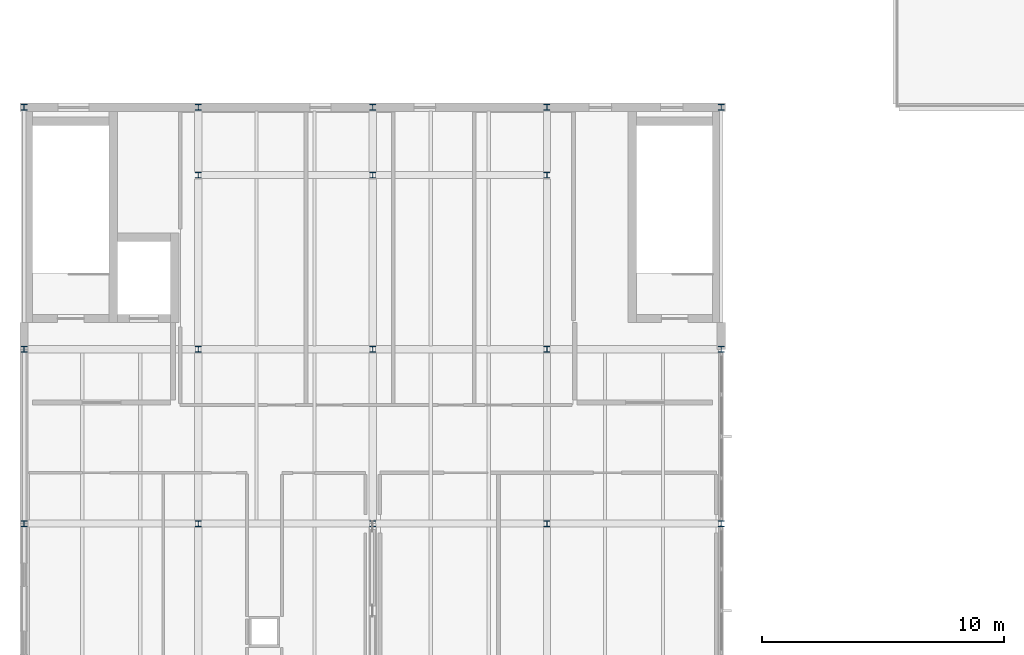
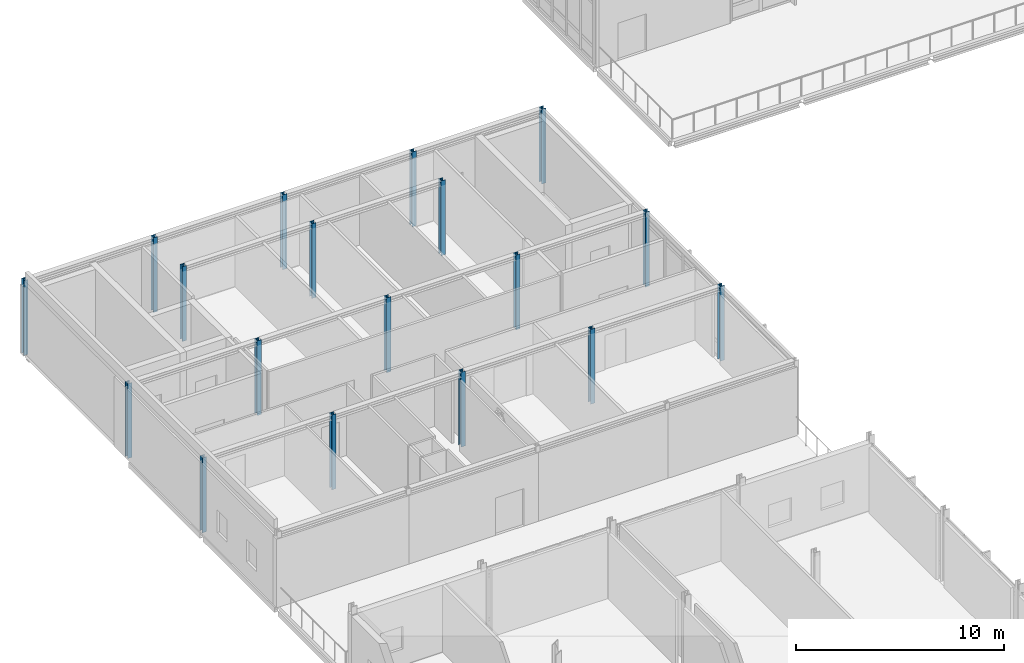
# One storey, part 5 of 53: 18 columns.
"""IFC4 building model written with IfcOpenShell, lengths in metres."""

from ifc_helpers import new_model, si_unit, direction, frame, origin, origin_2d, place, context, subcontext, project, spatial, i_section, extrude, material, material_profile, profile_set, type_object, element, save


model = new_model("IFC4")

# Units and contexts
model_context = context("Model", 3, precision=1e-05, world=origin(), true_north=direction((0.0, 1.0)))
body_context = subcontext(model_context, "Body", "Model", "MODEL_VIEW")
ifc_project = project(units=[si_unit("LENGTHUNIT", "METRE"), si_unit("AREAUNIT", "SQUARE_METRE"), si_unit("VOLUMEUNIT", "CUBIC_METRE"), si_unit("PLANEANGLEUNIT", "RADIAN"), si_unit("MASSUNIT", "GRAM", prefix="KILO")], contexts=[model_context])

# Site, building, storey
site_placement = place(None, origin())
site = spatial("IfcSite", under=ifc_project, at=site_placement, CompositionType="ELEMENT")
building_placement = place(site_placement, origin())
building = spatial("IfcBuilding", under=site, at=building_placement, Name="Zarrinpeak Specialist Clinic", CompositionType="ELEMENT")
storey_placement = place(building_placement, frame((0.0, 0.0, 14.0)))
storey = spatial("IfcBuildingStorey", under=building, at=storey_placement, Name="L03", CompositionType="ELEMENT", Elevation=14.0)

# Columns
ifc_material = material(Name="Steel S355", Category="steel")
ifc_material_profile = material_profile(ifc_material, i_section(OverallWidth=0.239990234375, OverallDepth=0.239990234375, WebThickness=0.010009765625, FlangeThickness=0.01708984375, FilletRadius=0.02099609375, at=origin_2d()), Name="HEB 240")
ifc_profile_set = profile_set([ifc_material_profile], Name="Steel S355")
column_type = type_object("IfcColumnType", Name="COL-HEB240", PredefinedType="COLUMN", material=ifc_profile_set)
for number, where, z_axis, x_axis, name in (
    (1, (0.0, 64.800048828125, 0.0), (0.0, 0.0, 1.0), (1.0, 0.0, 0.0), "L03 Structural Column COL-L03-008"),
    (2, (0.0, 72.0, 0.0), (0.0, 0.0, 1.0), (1.0, 0.0, 0.0), "L03 Structural Column COL-L03-009"),
    (3, (0.0, 82.0, 0.0), (0.0, 0.0, 1.0), (1.0, 0.0, 0.0), "L03 Structural Column COL-L03-010"),
    (4, (7.199951171875, 64.800048828125, 0.0), (0.0, 0.0, 1.0), (1.0, 0.0, 0.0), "L03 Structural Column COL-L03-020"),
    (5, (7.199951171875, 72.0, 0.0), (0.0, 0.0, 1.0), (1.0, 0.0, 0.0), "L03 Structural Column COL-L03-021"),
    (6, (7.199951171875, 79.199951171875, 0.0), (0.0, 0.0, 1.0), (1.0, 0.0, 0.0), "L03 Structural Column COL-L03-022"),
    (7, (7.199951171875, 82.0, 0.0), (0.0, 0.0, 1.0), (1.0, 0.0, 0.0), "L03 Structural Column COL-L03-023"),
    (8, (14.39990234375, 64.800048828125, 0.0), (0.0, 0.0, 1.0), (1.0, 0.0, 0.0), "L03 Structural Column COL-L03-033"),
    (9, (14.39990234375, 72.0, 0.0), (0.0, 0.0, 1.0), (1.0, 0.0, 0.0), "L03 Structural Column COL-L03-034"),
    (10, (14.39990234375, 79.199951171875, 0.0), (0.0, 0.0, 1.0), (1.0, 0.0, 0.0), "L03 Structural Column COL-L03-035"),
    (11, (14.39990234375, 82.0, 0.0), (0.0, 0.0, 1.0), (1.0, 0.0, 0.0), "L03 Structural Column COL-L03-036"),
    (12, (21.60009765625, 64.800048828125, 0.0), (0.0, 0.0, 1.0), (1.0, 0.0, 0.0), "L03 Structural Column COL-L03-046"),
    (13, (21.60009765625, 72.0, 0.0), (0.0, 0.0, 1.0), (1.0, 0.0, 0.0), "L03 Structural Column COL-L03-047"),
    (14, (21.60009765625, 79.199951171875, 0.0), (0.0, 0.0, 1.0), (1.0, 0.0, 0.0), "L03 Structural Column COL-L03-048"),
    (15, (21.60009765625, 82.0, 0.0), (0.0, 0.0, 1.0), (1.0, 0.0, 0.0), "L03 Structural Column COL-L03-049"),
    (16, (28.800048828125, 64.800048828125, 0.0), (0.0, 0.0, 1.0), (1.0, 0.0, 0.0), "L03 Structural Column COL-L03-057"),
    (17, (28.800048828125, 72.0, 0.0), (0.0, 0.0, 1.0), (1.0, 0.0, 0.0), "L03 Structural Column COL-L03-058"),
    (18, (28.800048828125, 82.0, 0.0), (0.0, 0.0, 1.0), (1.0, 0.0, 0.0), "L03 Structural Column COL-L03-059"),
):
    element("IfcColumn", number, at=place(storey_placement, frame(where, z_axis=z_axis, x_axis=x_axis)), inside=storey, type_object=column_type, Name=name, PredefinedType="COLUMN", context=body_context, shape_type="SweptSolid", body=[
        extrude(i_section(OverallWidth=0.239990234375, OverallDepth=0.239990234375, WebThickness=0.010009765625, FlangeThickness=0.01708984375, FilletRadius=0.02099609375, at=origin_2d()), origin(), (0.0, 0.0, 1.0), 4.39990234375),
    ])

save(model, "model.ifc")
